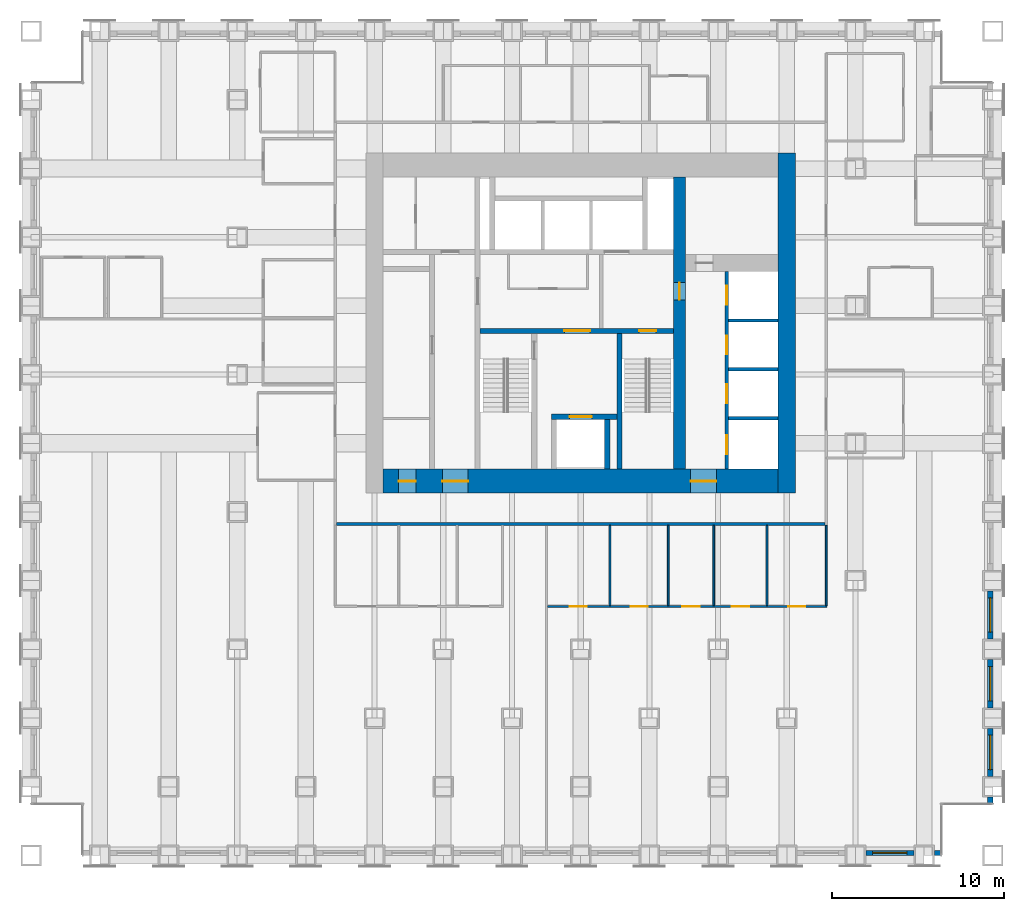
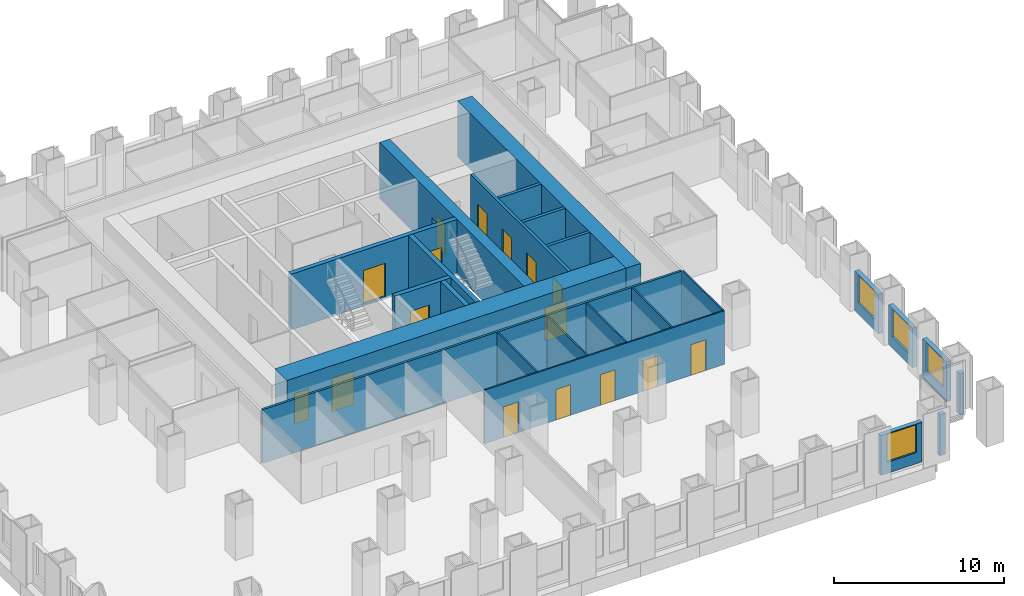
# One storey, part 10 of 15: 24 walls, 16 doors, 4 windows, 20 openings.
"""IFC4 building model written with IfcOpenShell, lengths in metres."""

import ifcopenshell
import ifcopenshell.guid

model = None  # the IFC model being written
_history = None  # IfcOwnerHistory: only IFC2X3 demands one
_inside = {}  # id of a spatial element -> (the spatial element, [elements in it])
_under = {}  # id of a project, library or spatial element -> (it, [spatial elements below it])
_declared = {}  # id of a project -> (the project, [libraries it declares])
_typed = {}  # id of a type object -> (the type object, [elements of that type])
_made_of = {}  # id of a material, layer set ... -> (it, [elements and type objects made of it])


def new_model(schema):
    """Start an empty IFC model of exactly this schema.

    Asked for "IFC4X3", IfcOpenShell would pick the latest addendum, in which some entities
    have other attributes; the version numbers below select the first issue.
    IFC2X3 requires an IfcOwnerHistory on every rooted entity: one is made here for all.
    """
    global model, _history
    if schema == "IFC4X3":
        model = ifcopenshell.file(schema_version=(4, 3, 0, 0))
    else:
        model = ifcopenshell.file(schema=schema)
    _inside.clear()
    _under.clear()
    _declared.clear()
    _typed.clear()
    _made_of.clear()
    _history = None
    if model.schema == "IFC2X3":
        org = make("IfcOrganization", Name="unknown")
        user = make(
            "IfcPersonAndOrganization",
            ThePerson=make("IfcPerson", FamilyName="unknown"),
            TheOrganization=org,
        )
        app = make(
            "IfcApplication",
            ApplicationDeveloper=org,
            Version="unknown",
            ApplicationFullName="unknown",
            ApplicationIdentifier="unknown",
        )
        _history = make(
            "IfcOwnerHistory",
            OwningUser=user,
            OwningApplication=app,
            ChangeAction="ADDED",
            CreationDate=0,
        )
    return model


def make(cls, **values):
    """One entity of the class cls with the attributes given. An attribute that is None is left unset."""
    return model.create_entity(
        cls, **{name: value for name, value in values.items() if value is not None}
    )


def rooted(cls, **values):
    """An entity with a GlobalId (a new one), such as an element, a storey or a relation."""
    return make(cls, GlobalId=ifcopenshell.guid.new(), OwnerHistory=_history, **values)


def si_unit(unit_type, name, prefix=None):
    """IfcSIUnit, for example si_unit("LENGTHUNIT", "METRE", prefix="MILLI")."""
    return make("IfcSIUnit", UnitType=unit_type, Prefix=prefix, Name=name)


def assignment(units):
    """IfcUnitAssignment: the units of a project."""
    return None if units is None else make("IfcUnitAssignment", Units=units)


def point(xyz):
    """IfcCartesianPoint."""
    return None if xyz is None else make("IfcCartesianPoint", Coordinates=xyz)


def direction(xyz):
    """IfcDirection."""
    return None if xyz is None else make("IfcDirection", DirectionRatios=xyz)


def frame(location, z_axis=None, x_axis=None):
    """IfcAxis2Placement3D, a coordinate frame: its origin and axes. An axis left out is left unset."""
    return make(
        "IfcAxis2Placement3D",
        Location=point(location),
        Axis=direction(z_axis),
        RefDirection=direction(x_axis),
    )


def frame_2d(location, x_axis=None):
    """IfcAxis2Placement2D, a coordinate frame in the plane: its origin and x axis."""
    return make(
        "IfcAxis2Placement2D", Location=point(location), RefDirection=direction(x_axis)
    )


def origin():
    """The frame at (0, 0, 0) with its axes left unset."""
    return frame((0.0, 0.0, 0.0))


def place(relative_to, where):
    """IfcLocalPlacement: puts the frame where relative to a parent placement (None: the world)."""
    return make(
        "IfcLocalPlacement", PlacementRelTo=relative_to, RelativePlacement=where
    )


def context(
    kind, dimensions, precision=None, world=None, true_north=None, identifier=None
):
    """IfcGeometricRepresentationContext, for example the 3D "Model" context."""
    return make(
        "IfcGeometricRepresentationContext",
        ContextIdentifier=identifier,
        ContextType=kind,
        CoordinateSpaceDimension=dimensions,
        Precision=precision,
        WorldCoordinateSystem=world,
        TrueNorth=true_north,
    )


def subcontext(parent, identifier, kind, view, scale=None):
    """IfcGeometricRepresentationSubContext, for example "Body" below "Model"."""
    return make(
        "IfcGeometricRepresentationSubContext",
        ContextIdentifier=identifier,
        ContextType=kind,
        ParentContext=parent,
        TargetScale=scale,
        TargetView=view,
    )


def project(units=None, contexts=None):
    """IfcProject with its units and contexts."""
    return rooted(
        "IfcProject",
        Name="project",
        RepresentationContexts=contexts,
        UnitsInContext=assignment(units),
    )


def spatial(cls, under=None, at=None, **own):
    """A site, building, storey or space (cls), placed at a placement, below another one or the project."""
    s = rooted(cls, ObjectPlacement=at, **own)
    if under is not None:
        _under.setdefault(under.id(), (under, []))[1].append(s)
    return s


def profile(cls, at=None, kind="AREA", **sizes):
    """A parametric profile (cls). Its sizes go by their IFC names, for example OverallWidth=200.0."""
    return make(cls, ProfileType=kind, Position=at, **sizes)


def rectangle(**sizes):
    """IfcRectangleProfileDef."""
    return profile("IfcRectangleProfileDef", **sizes)


def extrude(swept, where, along, depth):
    """IfcExtrudedAreaSolid: the profile swept, set in the frame where, extruded along a direction by depth."""
    return make(
        "IfcExtrudedAreaSolid",
        SweptArea=swept,
        Position=where,
        ExtrudedDirection=direction(along),
        Depth=depth,
    )


def shape(context_of_items, identifier, shape_type, items):
    """IfcShapeRepresentation: the items that make up one representation, for example the "Body"."""
    return make(
        "IfcShapeRepresentation",
        ContextOfItems=context_of_items,
        RepresentationIdentifier=identifier,
        RepresentationType=shape_type,
        Items=items,
    )


def material(Name=None, Category=None):
    """IfcMaterial."""
    return make("IfcMaterial", Name=Name, Category=Category)


def layer(
    of_material, thickness, ventilated=None, Name=None, Category=None, Priority=None
):
    """IfcMaterialLayer: one layer of a wall or slab, of a material (None: an air gap)."""
    return make(
        "IfcMaterialLayer",
        Material=of_material,
        LayerThickness=thickness,
        IsVentilated=ventilated,
        Name=Name,
        Category=Category,
        Priority=Priority,
    )


def layer_set(layers, Name=None):
    """IfcMaterialLayerSet."""
    return make("IfcMaterialLayerSet", MaterialLayers=layers, LayerSetName=Name)


def made_of(thing, what):
    """Note that an element or type object is made of a material, layer set ...; save() writes the relation."""
    if what is not None:
        _made_of.setdefault(what.id(), (what, []))[1].append(thing)
    return thing


def type_object(cls, material=None, **own):
    """A type object (cls), such as IfcWallType, which elements share."""
    return made_of(rooted(cls, **own), material)


def element(
    cls,
    number,
    at=None,
    inside=None,
    cuts=None,
    type_object=None,
    material=None,
    context=None,
    identifier="Body",
    shape_type=None,
    held_by="IfcProductDefinitionShape",
    body=None,
    shapes=None,
    **own,
):
    """One element of the class cls, such as IfcWall. Its Tag is "e" and its number.

    at: its placement. inside: the storey or other place that contains it. cuts: it is an
    opening in that element (IfcRelVoidsElement). A single representation is given by context,
    identifier, shape_type and body (its items); several are given by shapes. held_by: the class
    of the entity that holds the representations. save() writes the other relations.
    """
    e = rooted(cls, Tag="e%d" % number, ObjectPlacement=at, **own)
    if body is not None:
        shapes = [shape(context, identifier, shape_type, body)]
    if shapes is not None:
        e.Representation = make(held_by, Representations=shapes)
    if inside is not None:
        _inside.setdefault(inside.id(), (inside, []))[1].append(e)
    if cuts is not None:
        rooted(
            "IfcRelVoidsElement", RelatingBuildingElement=cuts, RelatedOpeningElement=e
        )
    if type_object is not None:
        _typed.setdefault(type_object.id(), (type_object, []))[1].append(e)
    return made_of(e, material)


def fill(opening, filler):
    """IfcRelFillsElement: the door or window that sits in an opening."""
    return rooted(
        "IfcRelFillsElement",
        RelatingOpeningElement=opening,
        RelatedBuildingElement=filler,
    )


def aggregate(whole, parts):
    """IfcRelAggregates: a whole, such as a stair, and the parts it consists of."""
    return rooted("IfcRelAggregates", RelatingObject=whole, RelatedObjects=parts)


def save(model, path):
    """Write the relations noted so far, then the file.

    IfcRelAggregates (storeys below a building ...), IfcRelContainedInSpatialStructure (elements
    in a storey), IfcRelDefinesByType, IfcRelAssociatesMaterial and IfcRelDeclares: one each for
    every whole, place, type object, material and project.
    """
    for whole, parts in _under.values():
        aggregate(whole, parts)
    for where, things in _inside.values():
        rooted(
            "IfcRelContainedInSpatialStructure",
            RelatedElements=things,
            RelatingStructure=where,
        )
    for kind, things in _typed.values():
        rooted("IfcRelDefinesByType", RelatedObjects=things, RelatingType=kind)
    for what, things in _made_of.values():
        rooted("IfcRelAssociatesMaterial", RelatedObjects=things, RelatingMaterial=what)
    for by, libraries in _declared.values():
        rooted("IfcRelDeclares", RelatingContext=by, RelatedDefinitions=libraries)
    model.write(path)


model = new_model("IFC4")

# Units and contexts
model_context = context("Model", 3, precision=1e-05, world=origin(), true_north=direction((0.0, 1.0)))
body_context = subcontext(model_context, "Body", "Model", "MODEL_VIEW")
ifc_project = project(units=[si_unit("LENGTHUNIT", "METRE"), si_unit("AREAUNIT", "SQUARE_METRE"), si_unit("VOLUMEUNIT", "CUBIC_METRE"), si_unit("PLANEANGLEUNIT", "RADIAN"), si_unit("MASSUNIT", "GRAM", prefix="KILO")], contexts=[model_context])

# Site, building, storey
site_placement = place(None, origin())
site = spatial("IfcSite", under=ifc_project, at=site_placement, CompositionType="ELEMENT")
building_placement = place(site_placement, origin())
building = spatial("IfcBuilding", under=site, at=building_placement, Name="Rimbunsela Tower", CompositionType="ELEMENT")
storey_placement = place(building_placement, frame((0.0, 0.0, 23.0)))
storey = spatial("IfcBuildingStorey", under=building, at=storey_placement, Name="L05", CompositionType="ELEMENT", Elevation=23.0)

# Wall, openings, doors
ifc_material_1 = material(Name="Concrete fc' 80 MPa", Category="concrete")
ifc_layer_1 = layer(ifc_material_1, 0.300048828125)
ifc_layer_set_1 = layer_set([ifc_layer_1], Name="Core internal wall 300")
wall_type_1 = type_object("IfcWallType", Name="Core internal wall 300", PredefinedType="SHEAR", material=ifc_layer_set_1)
wall_1_placement = place(storey_placement, frame((24.14990234375, 26.550048828125, -0.14990234375), z_axis=(0.0, 0.0, 1.0), x_axis=(1.0, 0.0, 0.0)))
wall_1 = element("IfcWall", 1, at=wall_1_placement, inside=storey, type_object=wall_type_1, Name="Core wall lobby south", PredefinedType="SHEAR", context=body_context, shape_type="SweptSolid", body=[
    extrude(rectangle(XDim=11.25, YDim=0.300048828125, at=frame_2d((5.625, 0.0))), origin(), (0.0, 0.0, 1.0), 4.0),
])
opening_1_placement = place(wall_1_placement, frame((9.25, 0.0, 0.14990234375)))
opening_1 = element("IfcOpeningElement", 2, at=opening_1_placement, cuts=wall_1, Name="Opening D01", PredefinedType="OPENING", context=body_context, shape_type="SweptSolid", body=[
    extrude(rectangle(XDim=1.0, YDim=2.199951171875, at=frame_2d((0.5, 1.10009765625))), frame((0.0, 0.159912109375, 0.0), z_axis=(0.0, -1.0, 0.0), x_axis=(1.0, 0.0, 0.0)), (0.0, 0.0, 1.0), 0.320068359375),
])
opening_2_placement = place(wall_1_placement, frame((4.89990234375, 0.0, 0.14990234375)))
opening_2 = element("IfcOpeningElement", 3, at=opening_2_placement, cuts=wall_1, Name="Opening D03", PredefinedType="OPENING", context=body_context, shape_type="SweptSolid", body=[
    extrude(rectangle(XDim=1.5, YDim=2.39990234375, at=frame_2d((0.75, 1.199951171875))), frame((0.0, 0.159912109375, 0.0), z_axis=(0.0, -1.0, 0.0), x_axis=(1.0, 0.0, 0.0)), (0.0, 0.0, 1.0), 0.320068359375),
])
ifc_material_2 = material(Name="Steel door, fire rated", Category="steel")
door_type_1 = type_object("IfcDoorType", Name="Core lobby door 1500", OperationType="DOUBLE_DOOR_DOUBLE_SWING", PredefinedType="DOOR", material=ifc_material_2)
door_1_placement = place(opening_2_placement, origin())
door_1 = element("IfcDoor", 4, at=door_1_placement, inside=storey, type_object=door_type_1, Name="Firefighting lobby door", OperationType="DOUBLE_DOOR_DOUBLE_SWING", OverallHeight=2.39990234375, OverallWidth=1.5, PredefinedType="DOOR", context=body_context, shape_type="SweptSolid", body=[
    extrude(rectangle(XDim=1.5, YDim=2.39990234375, at=frame_2d((0.75, 1.199951171875))), frame((0.0, 0.02490234375, 0.0), z_axis=(0.0, -1.0, 0.0), x_axis=(1.0, 0.0, 0.0)), (0.0, 0.0, 1.0), 0.050048828125),
])
fill(opening_2, door_1)
ifc_material_3 = material(Name="Steel door, fire rated", Category="steel")
door_type_2 = type_object("IfcDoorType", Name="Stair door 1000", OperationType="SINGLE_SWING_RIGHT", PredefinedType="DOOR", material=ifc_material_3)
door_2_placement = place(opening_1_placement, frame((1.0, 0.0, 0.0), z_axis=(0.0, 0.0, 1.0), x_axis=(-1.0, 0.0, 0.0)))
door_2 = element("IfcDoor", 5, at=door_2_placement, inside=storey, type_object=door_type_2, Name="Stair B door", OperationType="SINGLE_SWING_RIGHT", OverallHeight=2.199951171875, OverallWidth=1.0, PredefinedType="DOOR", context=body_context, shape_type="SweptSolid", body=[
    extrude(rectangle(XDim=1.0, YDim=2.199951171875, at=frame_2d((0.5, 1.10009765625))), frame((0.0, 0.02490234375, 0.0), z_axis=(0.0, -1.0, 0.0), x_axis=(1.0, 0.0, 0.0)), (0.0, 0.0, 1.0), 0.050048828125),
])
fill(opening_1, door_2)

# Walls
wall_2_placement = place(storey_placement, frame((32.25, 18.5, -0.14990234375), z_axis=(0.0, 0.0, 1.0), x_axis=(0.0, 1.0, 0.0)))
element("IfcWall", 6, at=wall_2_placement, inside=storey, type_object=wall_type_1, Name="Stair B enclosure", PredefinedType="SHEAR", context=body_context, shape_type="SweptSolid", body=[
    extrude(rectangle(XDim=7.89990234375, YDim=0.300048828125, at=frame_2d((3.949951171875, 0.0))), origin(), (0.0, 0.0, 1.0), 4.0),
])
wall_3_placement = place(storey_placement, frame((31.550048828125, 18.5, -0.14990234375), z_axis=(0.0, 0.0, 1.0), x_axis=(0.0, 1.0, 0.0)))
element("IfcWall", 7, at=wall_3_placement, inside=storey, type_object=wall_type_1, Name="Firefighting lift shaft east", PredefinedType="SHEAR", context=body_context, shape_type="SweptSolid", body=[
    extrude(rectangle(XDim=2.89990234375, YDim=0.300048828125, at=frame_2d((1.449951171875, 0.0))), origin(), (0.0, 0.0, 1.0), 4.0),
])

# Wall, opening, door
wall_4_placement = place(storey_placement, frame((28.300048828125, 21.550048828125, -0.14990234375), z_axis=(0.0, 0.0, 1.0), x_axis=(1.0, 0.0, 0.0)))
wall_4 = element("IfcWall", 8, at=wall_4_placement, inside=storey, type_object=wall_type_1, Name="Firefighting lift shaft front", PredefinedType="SHEAR", context=body_context, shape_type="SweptSolid", body=[
    extrude(rectangle(XDim=3.800048828125, YDim=0.300048828125, at=frame_2d((1.89990234375, 0.0))), origin(), (0.0, 0.0, 1.0), 4.0),
])
opening_3_placement = place(wall_4_placement, frame((1.050048828125, 0.0, 0.14990234375)))
opening_3 = element("IfcOpeningElement", 9, at=opening_3_placement, cuts=wall_4, Name="Opening LD2", PredefinedType="OPENING", context=body_context, shape_type="SweptSolid", body=[
    extrude(rectangle(XDim=1.300048828125, YDim=2.39990234375, at=frame_2d((0.64990234375, 1.199951171875))), frame((0.0, 0.159912109375, 0.0), z_axis=(0.0, -1.0, 0.0), x_axis=(1.0, 0.0, 0.0)), (0.0, 0.0, 1.0), 0.320068359375),
])
ifc_material_4 = material(Name="Steel door, fire rated", Category="steel")
door_type_3 = type_object("IfcDoorType", Name="Lift landing door 1300", OperationType="DOUBLE_DOOR_SLIDING", PredefinedType="DOOR", material=ifc_material_4)
door_3_placement = place(opening_3_placement, origin())
door_3 = element("IfcDoor", 10, at=door_3_placement, inside=storey, type_object=door_type_3, Name="Lift landing door FL1", OperationType="DOUBLE_DOOR_SLIDING", OverallHeight=2.39990234375, OverallWidth=1.300048828125, PredefinedType="DOOR", context=body_context, shape_type="SweptSolid", body=[
    extrude(rectangle(XDim=1.300048828125, YDim=2.39990234375, at=frame_2d((0.64990234375, 1.199951171875))), frame((0.0, 0.02490234375, 0.0), z_axis=(0.0, -1.0, 0.0), x_axis=(1.0, 0.0, 0.0)), (0.0, 0.0, 1.0), 0.050048828125),
])
fill(opening_3, door_3)

# Wall
ifc_material_5 = material(Name="Concrete fc' 80 MPa", Category="concrete")
ifc_layer_2 = layer(ifc_material_5, 1.0)
ifc_layer_set_2 = layer_set([ifc_layer_2], Name="Core wall 1000")
wall_type_2 = type_object("IfcWallType", Name="Core wall 1000", PredefinedType="SHEAR", material=ifc_layer_set_2)
wall_5_placement = place(storey_placement, frame((42.0, 17.10009765625, -0.14990234375), z_axis=(0.0, 0.0, 1.0), x_axis=(0.0, 1.0, 0.0)))
element("IfcWall", 11, at=wall_5_placement, inside=storey, type_object=wall_type_2, Name="Core wall east", PredefinedType="SHEAR", context=body_context, shape_type="SweptSolid", body=[
    extrude(rectangle(XDim=19.7998046875, YDim=1.0, at=frame_2d((9.89990234375, 0.0))), origin(), (0.0, 0.0, 1.0), 4.0),
])

# Wall, openings, doors
ifc_material_6 = material(Name="Concrete fc' 80 MPa", Category="concrete")
ifc_layer_3 = layer(ifc_material_6, 1.39990234375)
ifc_layer_set_3 = layer_set([ifc_layer_3], Name="Core wall 1400")
wall_type_3 = type_object("IfcWallType", Name="Core wall 1400", PredefinedType="SHEAR", material=ifc_layer_set_3)
wall_6_placement = place(storey_placement, frame((18.5, 17.800048828125, -0.14990234375), z_axis=(0.0, 0.0, 1.0), x_axis=(1.0, 0.0, 0.0)))
wall_6 = element("IfcWall", 12, at=wall_6_placement, inside=storey, type_object=wall_type_3, Name="Core wall south", PredefinedType="SHEAR", context=body_context, shape_type="SweptSolid", body=[
    extrude(rectangle(XDim=23.0, YDim=1.39990234375, at=frame_2d((11.5, 0.0))), origin(), (0.0, 0.0, 1.0), 4.0),
])
opening_4_placement = place(wall_6_placement, frame((3.449951171875, 0.0, 0.14990234375)))
opening_4 = element("IfcOpeningElement", 13, at=opening_4_placement, cuts=wall_6, Name="Opening D03", PredefinedType="OPENING", context=body_context, shape_type="SweptSolid", body=[
    extrude(rectangle(XDim=1.5, YDim=2.39990234375, at=frame_2d((0.75, 1.199951171875))), frame((0.0, 0.7099609375, 0.0), z_axis=(0.0, -1.0, 0.0), x_axis=(1.0, 0.0, 0.0)), (0.0, 0.0, 1.0), 1.419921875),
])
opening_5_placement = place(wall_6_placement, frame((17.89990234375, 0.0, 0.14990234375)))
opening_5 = element("IfcOpeningElement", 14, at=opening_5_placement, cuts=wall_6, Name="Opening D03", PredefinedType="OPENING", context=body_context, shape_type="SweptSolid", body=[
    extrude(rectangle(XDim=1.5, YDim=2.39990234375, at=frame_2d((0.75, 1.199951171875))), frame((0.0, 0.7099609375, 0.0), z_axis=(0.0, -1.0, 0.0), x_axis=(1.0, 0.0, 0.0)), (0.0, 0.0, 1.0), 1.419921875),
])
opening_6_placement = place(wall_6_placement, frame((0.89990234375, 0.0, 0.14990234375)))
opening_6 = element("IfcOpeningElement", 15, at=opening_6_placement, cuts=wall_6, Name="Opening D19", PredefinedType="OPENING", context=body_context, shape_type="SweptSolid", body=[
    extrude(rectangle(XDim=1.0, YDim=2.199951171875, at=frame_2d((0.5, 1.10009765625))), frame((0.0, 0.7099609375, 0.0), z_axis=(0.0, -1.0, 0.0), x_axis=(1.0, 0.0, 0.0)), (0.0, 0.0, 1.0), 1.419921875),
])
door_4_placement = place(opening_4_placement, origin())
door_4 = element("IfcDoor", 16, at=door_4_placement, inside=storey, type_object=door_type_1, Name="Core door south", OperationType="DOUBLE_DOOR_DOUBLE_SWING", OverallHeight=2.39990234375, OverallWidth=1.5, PredefinedType="DOOR", context=body_context, shape_type="SweptSolid", body=[
    extrude(rectangle(XDim=1.5, YDim=2.39990234375, at=frame_2d((0.75, 1.199951171875))), frame((0.0, 0.02490234375, 0.0), z_axis=(0.0, -1.0, 0.0), x_axis=(1.0, 0.0, 0.0)), (0.0, 0.0, 1.0), 0.050048828125),
])
fill(opening_4, door_4)
door_5_placement = place(opening_5_placement, origin())
door_5 = element("IfcDoor", 17, at=door_5_placement, inside=storey, type_object=door_type_1, Name="Core door south-east", OperationType="DOUBLE_DOOR_DOUBLE_SWING", OverallHeight=2.39990234375, OverallWidth=1.5, PredefinedType="DOOR", context=body_context, shape_type="SweptSolid", body=[
    extrude(rectangle(XDim=1.5, YDim=2.39990234375, at=frame_2d((0.75, 1.199951171875))), frame((0.0, 0.02490234375, 0.0), z_axis=(0.0, -1.0, 0.0), x_axis=(1.0, 0.0, 0.0)), (0.0, 0.0, 1.0), 0.050048828125),
])
fill(opening_5, door_5)
ifc_material_7 = material(Name="Steel door, fire rated", Category="steel")
door_type_4 = type_object("IfcDoorType", Name="Service door 1000 fire rated", OperationType="SINGLE_SWING_LEFT", PredefinedType="DOOR", material=ifc_material_7)
door_6_placement = place(opening_6_placement, origin())
door_6 = element("IfcDoor", 18, at=door_6_placement, inside=storey, type_object=door_type_4, Name="Electrical room door", OperationType="SINGLE_SWING_LEFT", OverallHeight=2.199951171875, OverallWidth=1.0, PredefinedType="DOOR", context=body_context, shape_type="SweptSolid", body=[
    extrude(rectangle(XDim=1.0, YDim=2.199951171875, at=frame_2d((0.5, 1.10009765625))), frame((0.0, 0.02490234375, 0.0), z_axis=(0.0, -1.0, 0.0), x_axis=(1.0, 0.0, 0.0)), (0.0, 0.0, 1.0), 0.050048828125),
])
fill(opening_6, door_6)

# Wall, opening, door
ifc_material_8 = material(Name="Concrete fc' 80 MPa", Category="concrete")
ifc_layer_4 = layer(ifc_material_8, 0.699951171875)
ifc_layer_set_4 = layer_set([ifc_layer_4], Name="Core wall 700 east")
wall_type_4 = type_object("IfcWallType", Name="Core wall 700 east", PredefinedType="SHEAR", material=ifc_layer_set_4)
wall_7_placement = place(storey_placement, frame((35.75, 18.5, -0.14990234375), z_axis=(0.0, 0.0, 1.0), x_axis=(0.0, 1.0, 0.0)))
wall_7 = element("IfcWall", 19, at=wall_7_placement, inside=storey, type_object=wall_type_4, Name="Core wall low-rise bank", PredefinedType="SHEAR", context=body_context, shape_type="SweptSolid", body=[
    extrude(rectangle(XDim=17.0, YDim=0.699951171875, at=frame_2d((8.5, 0.0))), origin(), (0.0, 0.0, 1.0), 4.0),
])
opening_7_placement = place(wall_7_placement, frame((9.85009765625, 0.0, 0.14990234375)))
opening_7 = element("IfcOpeningElement", 20, at=opening_7_placement, cuts=wall_7, Name="Opening D01", PredefinedType="OPENING", context=body_context, shape_type="SweptSolid", body=[
    extrude(rectangle(XDim=1.0, YDim=2.199951171875, at=frame_2d((0.5, 1.10009765625))), frame((0.0, 0.35986328125, 0.0), z_axis=(0.0, -1.0, 0.0), x_axis=(1.0, 0.0, 0.0)), (0.0, 0.0, 1.0), 0.719970703125),
])
door_7_placement = place(opening_7_placement, origin())
door_7 = element("IfcDoor", 21, at=door_7_placement, inside=storey, type_object=door_type_2, Name="Firefighting lobby 2 door", OperationType="SINGLE_SWING_RIGHT", OverallHeight=2.199951171875, OverallWidth=1.0, PredefinedType="DOOR", context=body_context, shape_type="SweptSolid", body=[
    extrude(rectangle(XDim=1.0, YDim=2.199951171875, at=frame_2d((0.5, 1.10009765625))), frame((0.0, 0.02490234375, 0.0), z_axis=(0.0, -1.0, 0.0), x_axis=(1.0, 0.0, 0.0)), (0.0, 0.0, 1.0), 0.050048828125),
])
fill(opening_7, door_7)

# Wall, openings, doors
ifc_material_9 = material(Name="Concrete blockwork", Category="masonry")
ifc_layer_5 = layer(ifc_material_9, 0.199951171875)
ifc_layer_set_5 = layer_set([ifc_layer_5], Name="Lift shaft wall 200")
wall_type_5 = type_object("IfcWallType", Name="Lift shaft wall 200", PredefinedType="SOLIDWALL", material=ifc_layer_set_5)
wall_8_placement = place(storey_placement, frame((38.5, 18.5, -0.14990234375), z_axis=(0.0, 0.0, 1.0), x_axis=(0.0, 1.0, 0.0)))
wall_8 = element("IfcWall", 22, at=wall_8_placement, inside=storey, type_object=wall_type_5, Name="Lift shaft front east", PredefinedType="SOLIDWALL", context=body_context, shape_type="SweptSolid", body=[
    extrude(rectangle(XDim=11.5, YDim=0.199951171875, at=frame_2d((5.75, 0.0))), origin(), (0.0, 0.0, 1.0), 4.0),
])
opening_8_placement = place(wall_8_placement, frame((0.875, 0.0, 0.14990234375)))
opening_8 = element("IfcOpeningElement", 23, at=opening_8_placement, cuts=wall_8, Name="Opening LD1", PredefinedType="OPENING", context=body_context, shape_type="SweptSolid", body=[
    extrude(rectangle(XDim=1.10009765625, YDim=2.199951171875, at=frame_2d((0.550048828125, 1.10009765625))), frame((0.0, 0.10986328125, 0.0), z_axis=(0.0, -1.0, 0.0), x_axis=(1.0, 0.0, 0.0)), (0.0, 0.0, 1.0), 0.219970703125),
])
opening_9_placement = place(wall_8_placement, frame((3.824951171875, 0.0, 0.14990234375)))
opening_9 = element("IfcOpeningElement", 24, at=opening_9_placement, cuts=wall_8, Name="Opening LD1", PredefinedType="OPENING", context=body_context, shape_type="SweptSolid", body=[
    extrude(rectangle(XDim=1.10009765625, YDim=2.199951171875, at=frame_2d((0.550048828125, 1.10009765625))), frame((0.0, 0.10986328125, 0.0), z_axis=(0.0, -1.0, 0.0), x_axis=(1.0, 0.0, 0.0)), (0.0, 0.0, 1.0), 0.219970703125),
])
opening_10_placement = place(wall_8_placement, frame((6.675048828125, 0.0, 0.14990234375)))
opening_10 = element("IfcOpeningElement", 25, at=opening_10_placement, cuts=wall_8, Name="Opening LD1", PredefinedType="OPENING", context=body_context, shape_type="SweptSolid", body=[
    extrude(rectangle(XDim=1.10009765625, YDim=2.199951171875, at=frame_2d((0.550048828125, 1.10009765625))), frame((0.0, 0.10986328125, 0.0), z_axis=(0.0, -1.0, 0.0), x_axis=(1.0, 0.0, 0.0)), (0.0, 0.0, 1.0), 0.219970703125),
])
opening_11_placement = place(wall_8_placement, frame((9.574951171875, 0.0, 0.14990234375)))
opening_11 = element("IfcOpeningElement", 26, at=opening_11_placement, cuts=wall_8, Name="Opening LD1", PredefinedType="OPENING", context=body_context, shape_type="SweptSolid", body=[
    extrude(rectangle(XDim=1.10009765625, YDim=2.199951171875, at=frame_2d((0.550048828125, 1.10009765625))), frame((0.0, 0.10986328125, 0.0), z_axis=(0.0, -1.0, 0.0), x_axis=(1.0, 0.0, 0.0)), (0.0, 0.0, 1.0), 0.219970703125),
])
ifc_material_10 = material(Name="Steel door, fire rated", Category="steel")
door_type_5 = type_object("IfcDoorType", Name="Lift landing door 1100", OperationType="DOUBLE_DOOR_SLIDING", PredefinedType="DOOR", material=ifc_material_10)
door_8_placement = place(opening_8_placement, origin())
door_8 = element("IfcDoor", 27, at=door_8_placement, inside=storey, type_object=door_type_5, Name="Lift landing door LL1", OperationType="DOUBLE_DOOR_SLIDING", OverallHeight=2.199951171875, OverallWidth=1.10009765625, PredefinedType="DOOR", context=body_context, shape_type="SweptSolid", body=[
    extrude(rectangle(XDim=1.10009765625, YDim=2.199951171875, at=frame_2d((0.550048828125, 1.10009765625))), frame((0.0, 0.02490234375, 0.0), z_axis=(0.0, -1.0, 0.0), x_axis=(1.0, 0.0, 0.0)), (0.0, 0.0, 1.0), 0.050048828125),
])
fill(opening_8, door_8)
door_9_placement = place(opening_9_placement, origin())
door_9 = element("IfcDoor", 28, at=door_9_placement, inside=storey, type_object=door_type_5, Name="Lift landing door LL2", OperationType="DOUBLE_DOOR_SLIDING", OverallHeight=2.199951171875, OverallWidth=1.10009765625, PredefinedType="DOOR", context=body_context, shape_type="SweptSolid", body=[
    extrude(rectangle(XDim=1.10009765625, YDim=2.199951171875, at=frame_2d((0.550048828125, 1.10009765625))), frame((0.0, 0.02490234375, 0.0), z_axis=(0.0, -1.0, 0.0), x_axis=(1.0, 0.0, 0.0)), (0.0, 0.0, 1.0), 0.050048828125),
])
fill(opening_9, door_9)
door_10_placement = place(opening_10_placement, origin())
door_10 = element("IfcDoor", 29, at=door_10_placement, inside=storey, type_object=door_type_5, Name="Lift landing door LL3", OperationType="DOUBLE_DOOR_SLIDING", OverallHeight=2.199951171875, OverallWidth=1.10009765625, PredefinedType="DOOR", context=body_context, shape_type="SweptSolid", body=[
    extrude(rectangle(XDim=1.10009765625, YDim=2.199951171875, at=frame_2d((0.550048828125, 1.10009765625))), frame((0.0, 0.02490234375, 0.0), z_axis=(0.0, -1.0, 0.0), x_axis=(1.0, 0.0, 0.0)), (0.0, 0.0, 1.0), 0.050048828125),
])
fill(opening_10, door_10)
door_11_placement = place(opening_11_placement, origin())
door_11 = element("IfcDoor", 30, at=door_11_placement, inside=storey, type_object=door_type_5, Name="Lift landing door LL4", OperationType="DOUBLE_DOOR_SLIDING", OverallHeight=2.199951171875, OverallWidth=1.10009765625, PredefinedType="DOOR", context=body_context, shape_type="SweptSolid", body=[
    extrude(rectangle(XDim=1.10009765625, YDim=2.199951171875, at=frame_2d((0.550048828125, 1.10009765625))), frame((0.0, 0.02490234375, 0.0), z_axis=(0.0, -1.0, 0.0), x_axis=(1.0, 0.0, 0.0)), (0.0, 0.0, 1.0), 0.050048828125),
])
fill(opening_11, door_11)

# Walls
for number, where, z_axis, x_axis, name in (
    (31, (38.60009765625, 21.449951171875, -0.14990234375), (0.0, 0.0, 1.0), (1.0, 0.0, 0.0), "Lift shaft separation"),
    (32, (38.60009765625, 24.300048828125, -0.14990234375), (0.0, 0.0, 1.0), (1.0, 0.0, 0.0), "Lift shaft separation"),
    (33, (38.60009765625, 27.14990234375, -0.14990234375), (0.0, 0.0, 1.0), (1.0, 0.0, 0.0), "Lift shaft separation"),
):
    element("IfcWall", number, at=place(storey_placement, frame(where, z_axis=z_axis, x_axis=x_axis)), inside=storey, type_object=wall_type_5, Name=name, PredefinedType="SOLIDWALL", context=body_context, shape_type="SweptSolid", body=[
        extrude(rectangle(XDim=2.89990234375, YDim=0.199951171875, at=frame_2d((1.449951171875, 0.0))), origin(), (0.0, 0.0, 1.0), 4.0),
    ])

# Wall, openings, doors
ifc_material_11 = material(Name="Gypsum board on steel studs", Category="steel")
ifc_layer_6 = layer(ifc_material_11, 0.10009765625)
ifc_layer_set_6 = layer_set([ifc_layer_6], Name="Office partition 100")
wall_type_6 = type_object("IfcWallType", Name="Office partition 100", PredefinedType="PARTITIONING", material=ifc_layer_set_6)
wall_9_placement = place(storey_placement, frame((28.06103515625, 10.5, 0.0), z_axis=(0.0, 0.0, 1.0), x_axis=(1.0, 0.0, 0.0)))
wall_9 = element("IfcWall", 34, at=wall_9_placement, inside=storey, type_object=wall_type_6, Name="Office partition", PredefinedType="PARTITIONING", context=body_context, shape_type="SweptSolid", body=[
    extrude(rectangle(XDim=16.2890625, YDim=0.10009765625, at=frame_2d((8.14453125, 0.0))), origin(), (0.0, 0.0, 1.0), 3.85009765625),
])
opening_12_placement = place(wall_9_placement, frame((1.2900390625, 0.0, 0.0)))
opening_12 = element("IfcOpeningElement", 35, at=opening_12_placement, cuts=wall_9, Name="Opening D17", PredefinedType="OPENING", context=body_context, shape_type="SweptSolid", body=[
    extrude(rectangle(XDim=1.0, YDim=2.199951171875, at=frame_2d((0.5, 1.10009765625))), frame((0.0, 0.06005859375, 0.0), z_axis=(0.0, -1.0, 0.0), x_axis=(1.0, 0.0, 0.0)), (0.0, 0.0, 1.0), 0.1201171875),
])
opening_13_placement = place(wall_9_placement, frame((4.840087890625, 0.0, 0.0)))
opening_13 = element("IfcOpeningElement", 36, at=opening_13_placement, cuts=wall_9, Name="Opening D16", PredefinedType="OPENING", context=body_context, shape_type="SweptSolid", body=[
    extrude(rectangle(XDim=1.0, YDim=2.199951171875, at=frame_2d((0.5, 1.10009765625))), frame((0.0, 0.06005859375, 0.0), z_axis=(0.0, -1.0, 0.0), x_axis=(1.0, 0.0, 0.0)), (0.0, 0.0, 1.0), 0.1201171875),
])
opening_14_placement = place(wall_9_placement, frame((7.864990234375, 0.0, 0.0)))
opening_14 = element("IfcOpeningElement", 37, at=opening_14_placement, cuts=wall_9, Name="Opening D16", PredefinedType="OPENING", context=body_context, shape_type="SweptSolid", body=[
    extrude(rectangle(XDim=1.0, YDim=2.199951171875, at=frame_2d((0.5, 1.10009765625))), frame((0.0, 0.06005859375, 0.0), z_axis=(0.0, -1.0, 0.0), x_axis=(1.0, 0.0, 0.0)), (0.0, 0.0, 1.0), 0.1201171875),
])
opening_15_placement = place(wall_9_placement, frame((10.739990234375, 0.0, 0.0)))
opening_15 = element("IfcOpeningElement", 38, at=opening_15_placement, cuts=wall_9, Name="Opening D16", PredefinedType="OPENING", context=body_context, shape_type="SweptSolid", body=[
    extrude(rectangle(XDim=1.0, YDim=2.199951171875, at=frame_2d((0.5, 1.10009765625))), frame((0.0, 0.06005859375, 0.0), z_axis=(0.0, -1.0, 0.0), x_axis=(1.0, 0.0, 0.0)), (0.0, 0.0, 1.0), 0.1201171875),
])
opening_16_placement = place(wall_9_placement, frame((14.014404296875, 0.0, 0.0)))
opening_16 = element("IfcOpeningElement", 39, at=opening_16_placement, cuts=wall_9, Name="Opening D16", PredefinedType="OPENING", context=body_context, shape_type="SweptSolid", body=[
    extrude(rectangle(XDim=1.0, YDim=2.199951171875, at=frame_2d((0.5, 1.10009765625))), frame((0.0, 0.06005859375, 0.0), z_axis=(0.0, -1.0, 0.0), x_axis=(1.0, 0.0, 0.0)), (0.0, 0.0, 1.0), 0.1201171875),
])
ifc_material_12 = material(Name="Glazed aluminium door", Category="aluminium")
door_type_6 = type_object("IfcDoorType", Name="Meeting room door 1000 glazed", OperationType="SINGLE_SWING_RIGHT", PredefinedType="DOOR", material=ifc_material_12)
door_12_placement = place(opening_12_placement, origin())
door_12 = element("IfcDoor", 40, at=door_12_placement, inside=storey, type_object=door_type_6, Name="Meeting room door", OperationType="SINGLE_SWING_RIGHT", OverallHeight=2.199951171875, OverallWidth=1.0, PredefinedType="DOOR", context=body_context, shape_type="SweptSolid", body=[
    extrude(rectangle(XDim=1.0, YDim=2.199951171875, at=frame_2d((0.5, 1.10009765625))), frame((0.0, 0.02490234375, 0.0), z_axis=(0.0, -1.0, 0.0), x_axis=(1.0, 0.0, 0.0)), (0.0, 0.0, 1.0), 0.050048828125),
])
fill(opening_12, door_12)
ifc_material_13 = material(Name="Timber door", Category="wood")
door_type_7 = type_object("IfcDoorType", Name="Office door 1000", OperationType="SINGLE_SWING_LEFT", PredefinedType="DOOR", material=ifc_material_13)
door_13_placement = place(opening_13_placement, origin())
door_13 = element("IfcDoor", 41, at=door_13_placement, inside=storey, type_object=door_type_7, Name="Office door", OperationType="SINGLE_SWING_LEFT", OverallHeight=2.199951171875, OverallWidth=1.0, PredefinedType="DOOR", context=body_context, shape_type="SweptSolid", body=[
    extrude(rectangle(XDim=1.0, YDim=2.199951171875, at=frame_2d((0.5, 1.10009765625))), frame((0.0, 0.02490234375, 0.0), z_axis=(0.0, -1.0, 0.0), x_axis=(1.0, 0.0, 0.0)), (0.0, 0.0, 1.0), 0.050048828125),
])
fill(opening_13, door_13)
door_14_placement = place(opening_14_placement, origin())
door_14 = element("IfcDoor", 42, at=door_14_placement, inside=storey, type_object=door_type_7, Name="Office door", OperationType="SINGLE_SWING_LEFT", OverallHeight=2.199951171875, OverallWidth=1.0, PredefinedType="DOOR", context=body_context, shape_type="SweptSolid", body=[
    extrude(rectangle(XDim=1.0, YDim=2.199951171875, at=frame_2d((0.5, 1.10009765625))), frame((0.0, 0.02490234375, 0.0), z_axis=(0.0, -1.0, 0.0), x_axis=(1.0, 0.0, 0.0)), (0.0, 0.0, 1.0), 0.050048828125),
])
fill(opening_14, door_14)
door_15_placement = place(opening_15_placement, origin())
door_15 = element("IfcDoor", 43, at=door_15_placement, inside=storey, type_object=door_type_7, Name="Office door", OperationType="SINGLE_SWING_LEFT", OverallHeight=2.199951171875, OverallWidth=1.0, PredefinedType="DOOR", context=body_context, shape_type="SweptSolid", body=[
    extrude(rectangle(XDim=1.0, YDim=2.199951171875, at=frame_2d((0.5, 1.10009765625))), frame((0.0, 0.02490234375, 0.0), z_axis=(0.0, -1.0, 0.0), x_axis=(1.0, 0.0, 0.0)), (0.0, 0.0, 1.0), 0.050048828125),
])
fill(opening_15, door_15)
door_16_placement = place(opening_16_placement, origin())
door_16 = element("IfcDoor", 44, at=door_16_placement, inside=storey, type_object=door_type_7, Name="Office door", OperationType="SINGLE_SWING_LEFT", OverallHeight=2.199951171875, OverallWidth=1.0, PredefinedType="DOOR", context=body_context, shape_type="SweptSolid", body=[
    extrude(rectangle(XDim=1.0, YDim=2.199951171875, at=frame_2d((0.5, 1.10009765625))), frame((0.0, 0.02490234375, 0.0), z_axis=(0.0, -1.0, 0.0), x_axis=(1.0, 0.0, 0.0)), (0.0, 0.0, 1.0), 0.050048828125),
])
fill(opening_16, door_16)

# Walls
for number, where, z_axis, x_axis, name in (
    (45, (31.700927734375, 10.550048828125, 0.0), (0.0, 0.0, 1.0), (0.0, 1.0, 0.0), "Office partition"),
    (46, (35.10107421875, 10.550048828125, 0.0), (0.0, 0.0, 1.0), (0.0, 1.0, 0.0), "Office partition"),
    (47, (37.7509765625, 10.550048828125, 0.0), (0.0, 0.0, 1.0), (0.0, 1.0, 0.0), "Office partition"),
    (48, (40.85107421875, 10.550048828125, 0.0), (0.0, 0.0, 1.0), (0.0, 1.0, 0.0), "Office partition"),
    (49, (44.300048828125, 10.550048828125, 0.0), (0.0, 0.0, 1.0), (0.0, 1.0, 0.0), "Office partition"),
):
    element("IfcWall", number, at=place(storey_placement, frame(where, z_axis=z_axis, x_axis=x_axis)), inside=storey, type_object=wall_type_6, Name=name, PredefinedType="PARTITIONING", context=body_context, shape_type="SweptSolid", body=[
        extrude(rectangle(XDim=4.675048828125, YDim=0.10009765625, at=frame_2d((2.33740234375, 0.0))), origin(), (0.0, 0.0, 1.0), 3.85009765625),
    ])

# Wall, opening, window
ifc_material_14 = material(Name="Precast concrete fc' 35 MPa", Category="concrete")
ifc_layer_7 = layer(ifc_material_14, 0.300048828125)
ifc_layer_set_7 = layer_set([ifc_layer_7], Name="Precast concrete fc' 35 MPa")
wall_type_7 = type_object("IfcWallType", Name="Precast facade panel 300", PredefinedType="ELEMENTEDWALL", material=ifc_layer_set_7)
wall_10_placement = place(storey_placement, frame((46.60009765625, -3.85009765625, 0.0), z_axis=(0.0, 0.0, 1.0), x_axis=(1.0, 0.0, 0.0)))
wall_10 = element("IfcWall", 50, at=wall_10_placement, inside=storey, type_object=wall_type_7, Name="Facade panel S L05", PredefinedType="ELEMENTEDWALL", context=body_context, shape_type="SweptSolid", body=[
    extrude(rectangle(XDim=2.7998046875, YDim=0.300048828125, at=frame_2d((1.39990234375, 0.0))), origin(), (0.0, 0.0, 1.0), 2.85009765625),
])
opening_17_placement = place(wall_10_placement, frame((0.39990234375, 0.0, 0.800048828125)))
opening_17 = element("IfcOpeningElement", 51, at=opening_17_placement, cuts=wall_10, Name="Opening W1", PredefinedType="OPENING", context=body_context, shape_type="SweptSolid", body=[
    extrude(rectangle(XDim=2.0, YDim=2.0, at=frame_2d((1.0, 1.0))), frame((0.0, 0.159912109375, 0.0), z_axis=(0.0, -1.0, 0.0), x_axis=(1.0, 0.0, 0.0)), (0.0, 0.0, 1.0), 0.320068359375),
])
ifc_material_15 = material(Name="Clear glass in aluminium frame", Category="aluminium")
window_type = type_object("IfcWindowType", Name="Window W1 2000x2000", PartitioningType="DOUBLE_PANEL_VERTICAL", PredefinedType="WINDOW", material=ifc_material_15)
window_1_placement = place(opening_17_placement, origin())
window_1 = element("IfcWindow", 52, at=window_1_placement, inside=storey, type_object=window_type, Name="Window L05", OverallHeight=2.0, OverallWidth=2.0, PartitioningType="SINGLE_PANEL", PredefinedType="WINDOW", context=body_context, shape_type="SweptSolid", body=[
    extrude(rectangle(XDim=2.0, YDim=2.0, at=frame_2d((1.0, 1.0))), frame((0.0, 0.030029296875, 0.0), z_axis=(0.0, -1.0, 0.0), x_axis=(1.0, 0.0, 0.0)), (0.0, 0.0, 1.0), 0.06005859375),
])
fill(opening_17, window_1)

# Walls
for number, where, z_axis, x_axis, name in (
    (53, (50.60009765625, -3.85009765625, 0.0), (0.0, 0.0, 1.0), (1.0, 0.0, 0.0), "Facade panel S L05"),
    (54, (53.85009765625, -0.969970703125, 0.0), (0.0, 0.0, 1.0), (0.0, 1.0, 0.0), "Facade panel E L05"),
):
    element("IfcWall", number, at=place(storey_placement, frame(where, z_axis=z_axis, x_axis=x_axis)), inside=storey, type_object=wall_type_7, Name=name, PredefinedType="ELEMENTEDWALL", context=body_context, shape_type="SweptSolid", body=[
        extrude(rectangle(XDim=0.369873046875, YDim=0.300048828125, at=frame_2d((0.18505859375, 0.0))), origin(), (0.0, 0.0, 1.0), 2.949951171875),
    ])

# Wall, opening, window
wall_11_placement = place(storey_placement, frame((53.85009765625, 0.60009765625, 0.0), z_axis=(0.0, 0.0, 1.0), x_axis=(0.0, 1.0, 0.0)))
wall_11 = element("IfcWall", 55, at=wall_11_placement, inside=storey, type_object=wall_type_7, Name="Facade panel E L05", PredefinedType="ELEMENTEDWALL", context=body_context, shape_type="SweptSolid", body=[
    extrude(rectangle(XDim=2.7998046875, YDim=0.300048828125, at=frame_2d((1.39990234375, 0.0))), origin(), (0.0, 0.0, 1.0), 2.85009765625),
])
opening_18_placement = place(wall_11_placement, frame((0.39990234375, 0.0, 0.800048828125)))
opening_18 = element("IfcOpeningElement", 56, at=opening_18_placement, cuts=wall_11, Name="Opening W1", PredefinedType="OPENING", context=body_context, shape_type="SweptSolid", body=[
    extrude(rectangle(XDim=2.0, YDim=2.0, at=frame_2d((1.0, 1.0))), frame((0.0, 0.159912109375, 0.0), z_axis=(0.0, -1.0, 0.0), x_axis=(1.0, 0.0, 0.0)), (0.0, 0.0, 1.0), 0.320068359375),
])
window_2_placement = place(opening_18_placement, origin())
window_2 = element("IfcWindow", 57, at=window_2_placement, inside=storey, type_object=window_type, Name="Window L05", OverallHeight=2.0, OverallWidth=2.0, PartitioningType="SINGLE_PANEL", PredefinedType="WINDOW", context=body_context, shape_type="SweptSolid", body=[
    extrude(rectangle(XDim=2.0, YDim=2.0, at=frame_2d((1.0, 1.0))), frame((0.0, 0.030029296875, 0.0), z_axis=(0.0, -1.0, 0.0), x_axis=(1.0, 0.0, 0.0)), (0.0, 0.0, 1.0), 0.06005859375),
])
fill(opening_18, window_2)

wall_12_placement = place(storey_placement, frame((53.85009765625, 4.60009765625, 0.0), z_axis=(0.0, 0.0, 1.0), x_axis=(0.0, 1.0, 0.0)))
wall_12 = element("IfcWall", 58, at=wall_12_placement, inside=storey, type_object=wall_type_7, Name="Facade panel E L05", PredefinedType="ELEMENTEDWALL", context=body_context, shape_type="SweptSolid", body=[
    extrude(rectangle(XDim=2.7998046875, YDim=0.300048828125, at=frame_2d((1.39990234375, 0.0))), origin(), (0.0, 0.0, 1.0), 2.85009765625),
])
opening_19_placement = place(wall_12_placement, frame((0.39990234375, 0.0, 0.800048828125)))
opening_19 = element("IfcOpeningElement", 59, at=opening_19_placement, cuts=wall_12, Name="Opening W1", PredefinedType="OPENING", context=body_context, shape_type="SweptSolid", body=[
    extrude(rectangle(XDim=2.0, YDim=2.0, at=frame_2d((1.0, 1.0))), frame((0.0, 0.159912109375, 0.0), z_axis=(0.0, -1.0, 0.0), x_axis=(1.0, 0.0, 0.0)), (0.0, 0.0, 1.0), 0.320068359375),
])
window_3_placement = place(opening_19_placement, origin())
window_3 = element("IfcWindow", 60, at=window_3_placement, inside=storey, type_object=window_type, Name="Window L05", OverallHeight=2.0, OverallWidth=2.0, PartitioningType="SINGLE_PANEL", PredefinedType="WINDOW", context=body_context, shape_type="SweptSolid", body=[
    extrude(rectangle(XDim=2.0, YDim=2.0, at=frame_2d((1.0, 1.0))), frame((0.0, 0.030029296875, 0.0), z_axis=(0.0, -1.0, 0.0), x_axis=(1.0, 0.0, 0.0)), (0.0, 0.0, 1.0), 0.06005859375),
])
fill(opening_19, window_3)

wall_13_placement = place(storey_placement, frame((53.85009765625, 8.60009765625, 0.0), z_axis=(0.0, 0.0, 1.0), x_axis=(0.0, 1.0, 0.0)))
wall_13 = element("IfcWall", 61, at=wall_13_placement, inside=storey, type_object=wall_type_7, Name="Facade panel E L05", PredefinedType="ELEMENTEDWALL", context=body_context, shape_type="SweptSolid", body=[
    extrude(rectangle(XDim=2.7998046875, YDim=0.300048828125, at=frame_2d((1.39990234375, 0.0))), origin(), (0.0, 0.0, 1.0), 2.85009765625),
])
opening_20_placement = place(wall_13_placement, frame((0.39990234375, 0.0, 0.800048828125)))
opening_20 = element("IfcOpeningElement", 62, at=opening_20_placement, cuts=wall_13, Name="Opening W1", PredefinedType="OPENING", context=body_context, shape_type="SweptSolid", body=[
    extrude(rectangle(XDim=2.0, YDim=2.0, at=frame_2d((1.0, 1.0))), frame((0.0, 0.159912109375, 0.0), z_axis=(0.0, -1.0, 0.0), x_axis=(1.0, 0.0, 0.0)), (0.0, 0.0, 1.0), 0.320068359375),
])
window_4_placement = place(opening_20_placement, origin())
window_4 = element("IfcWindow", 63, at=window_4_placement, inside=storey, type_object=window_type, Name="Window L05", OverallHeight=2.0, OverallWidth=2.0, PartitioningType="SINGLE_PANEL", PredefinedType="WINDOW", context=body_context, shape_type="SweptSolid", body=[
    extrude(rectangle(XDim=2.0, YDim=2.0, at=frame_2d((1.0, 1.0))), frame((0.0, 0.030029296875, 0.0), z_axis=(0.0, -1.0, 0.0), x_axis=(1.0, 0.0, 0.0)), (0.0, 0.0, 1.0), 0.06005859375),
])
fill(opening_20, window_4)

# Wall
ifc_material_16 = material(Name="Fire-rated gypsum board on steel studs, EI 60", Category="steel")
ifc_layer_8 = layer(ifc_material_16, 0.14990234375)
ifc_layer_set_8 = layer_set([ifc_layer_8], Name="Rated corridor wall 150")
wall_type_8 = type_object("IfcWallType", Name="Rated corridor wall 150", PredefinedType="PARTITIONING", material=ifc_layer_set_8)
wall_14_placement = place(storey_placement, frame((15.77490234375, 15.300048828125, 0.0), z_axis=(0.0, 0.0, 1.0), x_axis=(1.0, 0.0, 0.0)))
element("IfcWall", 64, at=wall_14_placement, inside=storey, type_object=wall_type_8, Name="Corridor wall south", PredefinedType="PARTITIONING", context=body_context, shape_type="SweptSolid", body=[
    extrude(rectangle(XDim=28.4501953125, YDim=0.14990234375, at=frame_2d((14.22509765625, 0.0))), origin(), (0.0, 0.0, 1.0), 3.85009765625),
])

save(model, "model.ifc")
